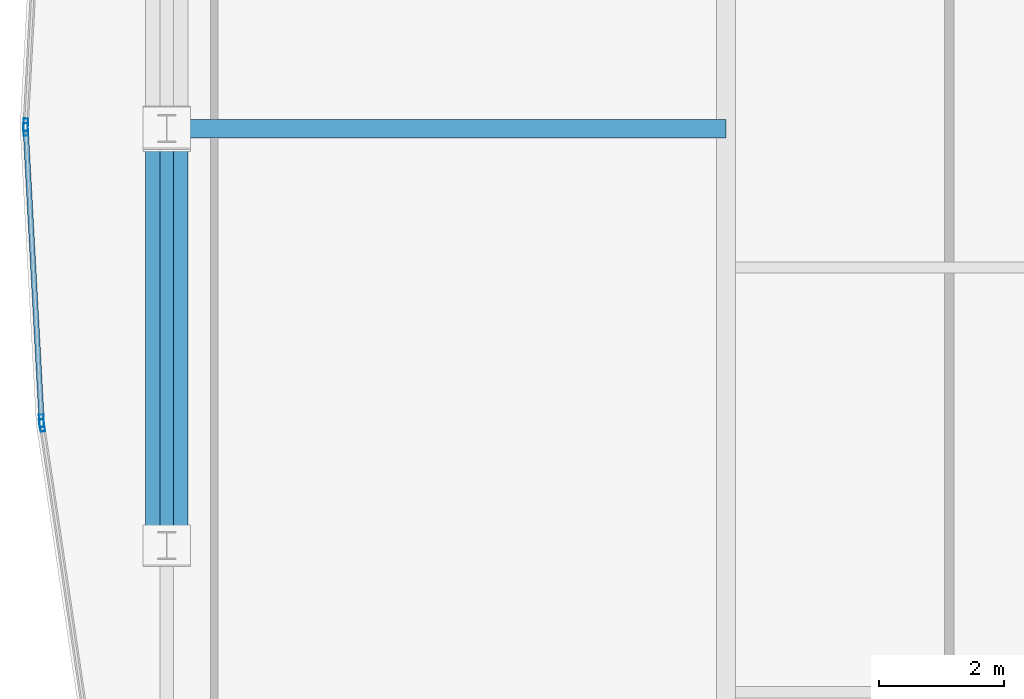
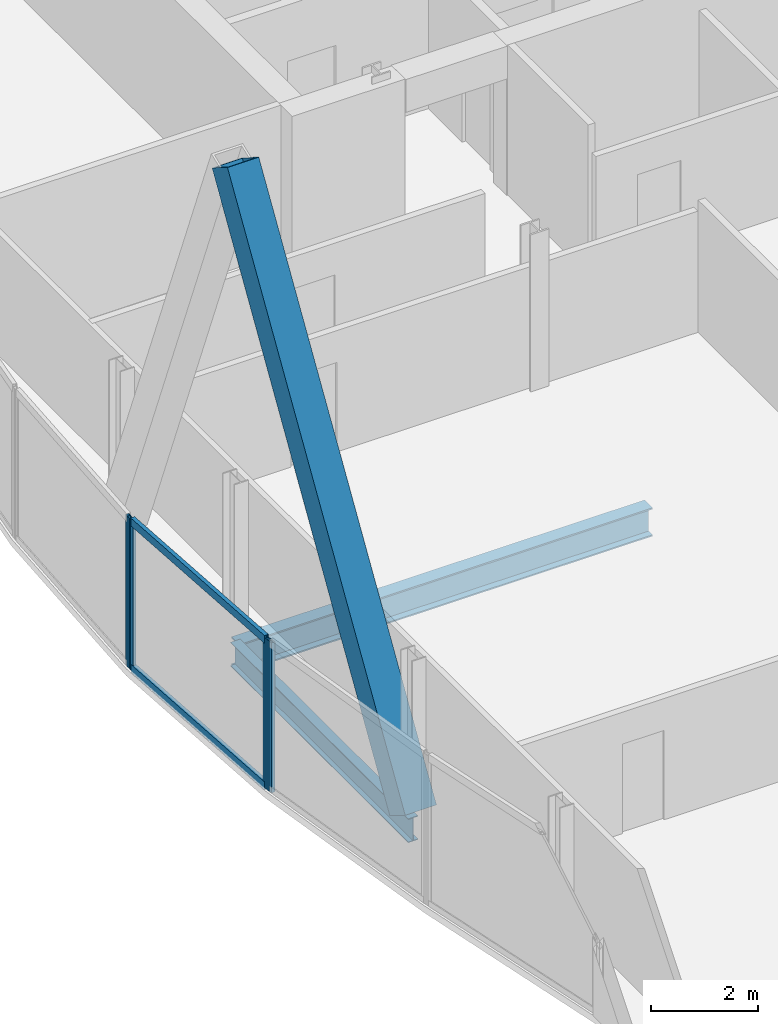
# One storey, part 10 of 31: 7 members, 2 beams, 3 elements without a shape of their own.
"""IFC4 building model written with IfcOpenShell, lengths in metres."""

import ifcopenshell
import ifcopenshell.guid

model = None  # the IFC model being written
_history = None  # IfcOwnerHistory: only IFC2X3 demands one
_inside = {}  # id of a spatial element -> (the spatial element, [elements in it])
_under = {}  # id of a project, library or spatial element -> (it, [spatial elements below it])
_declared = {}  # id of a project -> (the project, [libraries it declares])
_typed = {}  # id of a type object -> (the type object, [elements of that type])
_made_of = {}  # id of a material, layer set ... -> (it, [elements and type objects made of it])


def new_model(schema):
    """Start an empty IFC model of exactly this schema.

    Asked for "IFC4X3", IfcOpenShell would pick the latest addendum, in which some entities
    have other attributes; the version numbers below select the first issue.
    IFC2X3 requires an IfcOwnerHistory on every rooted entity: one is made here for all.
    """
    global model, _history
    if schema == "IFC4X3":
        model = ifcopenshell.file(schema_version=(4, 3, 0, 0))
    else:
        model = ifcopenshell.file(schema=schema)
    _inside.clear()
    _under.clear()
    _declared.clear()
    _typed.clear()
    _made_of.clear()
    _history = None
    if model.schema == "IFC2X3":
        org = make("IfcOrganization", Name="unknown")
        user = make(
            "IfcPersonAndOrganization",
            ThePerson=make("IfcPerson", FamilyName="unknown"),
            TheOrganization=org,
        )
        app = make(
            "IfcApplication",
            ApplicationDeveloper=org,
            Version="unknown",
            ApplicationFullName="unknown",
            ApplicationIdentifier="unknown",
        )
        _history = make(
            "IfcOwnerHistory",
            OwningUser=user,
            OwningApplication=app,
            ChangeAction="ADDED",
            CreationDate=0,
        )
    return model


def make(cls, **values):
    """One entity of the class cls with the attributes given. An attribute that is None is left unset."""
    return model.create_entity(
        cls, **{name: value for name, value in values.items() if value is not None}
    )


def rooted(cls, **values):
    """An entity with a GlobalId (a new one), such as an element, a storey or a relation."""
    return make(cls, GlobalId=ifcopenshell.guid.new(), OwnerHistory=_history, **values)


def si_unit(unit_type, name, prefix=None):
    """IfcSIUnit, for example si_unit("LENGTHUNIT", "METRE", prefix="MILLI")."""
    return make("IfcSIUnit", UnitType=unit_type, Prefix=prefix, Name=name)


def assignment(units):
    """IfcUnitAssignment: the units of a project."""
    return None if units is None else make("IfcUnitAssignment", Units=units)


def point(xyz):
    """IfcCartesianPoint."""
    return None if xyz is None else make("IfcCartesianPoint", Coordinates=xyz)


def direction(xyz):
    """IfcDirection."""
    return None if xyz is None else make("IfcDirection", DirectionRatios=xyz)


def frame(location, z_axis=None, x_axis=None):
    """IfcAxis2Placement3D, a coordinate frame: its origin and axes. An axis left out is left unset."""
    return make(
        "IfcAxis2Placement3D",
        Location=point(location),
        Axis=direction(z_axis),
        RefDirection=direction(x_axis),
    )


def frame_2d(location, x_axis=None):
    """IfcAxis2Placement2D, a coordinate frame in the plane: its origin and x axis."""
    return make(
        "IfcAxis2Placement2D", Location=point(location), RefDirection=direction(x_axis)
    )


def origin():
    """The frame at (0, 0, 0) with its axes left unset."""
    return frame((0.0, 0.0, 0.0))


def origin_2d():
    """The frame at (0, 0) in the plane with its x axis left unset."""
    return frame_2d((0.0, 0.0))


def place(relative_to, where):
    """IfcLocalPlacement: puts the frame where relative to a parent placement (None: the world)."""
    return make(
        "IfcLocalPlacement", PlacementRelTo=relative_to, RelativePlacement=where
    )


def context(
    kind, dimensions, precision=None, world=None, true_north=None, identifier=None
):
    """IfcGeometricRepresentationContext, for example the 3D "Model" context."""
    return make(
        "IfcGeometricRepresentationContext",
        ContextIdentifier=identifier,
        ContextType=kind,
        CoordinateSpaceDimension=dimensions,
        Precision=precision,
        WorldCoordinateSystem=world,
        TrueNorth=true_north,
    )


def subcontext(parent, identifier, kind, view, scale=None):
    """IfcGeometricRepresentationSubContext, for example "Body" below "Model"."""
    return make(
        "IfcGeometricRepresentationSubContext",
        ContextIdentifier=identifier,
        ContextType=kind,
        ParentContext=parent,
        TargetScale=scale,
        TargetView=view,
    )


def project(units=None, contexts=None):
    """IfcProject with its units and contexts."""
    return rooted(
        "IfcProject",
        Name="project",
        RepresentationContexts=contexts,
        UnitsInContext=assignment(units),
    )


def spatial(cls, under=None, at=None, **own):
    """A site, building, storey or space (cls), placed at a placement, below another one or the project."""
    s = rooted(cls, ObjectPlacement=at, **own)
    if under is not None:
        _under.setdefault(under.id(), (under, []))[1].append(s)
    return s


def profile(cls, at=None, kind="AREA", **sizes):
    """A parametric profile (cls). Its sizes go by their IFC names, for example OverallWidth=200.0."""
    return make(cls, ProfileType=kind, Position=at, **sizes)


def hollow_rectangle(**sizes):
    """IfcRectangleHollowProfileDef."""
    return profile("IfcRectangleHollowProfileDef", **sizes)


def i_section(**sizes):
    """IfcIShapeProfileDef."""
    return profile("IfcIShapeProfileDef", **sizes)


def extrude(swept, where, along, depth):
    """IfcExtrudedAreaSolid: the profile swept, set in the frame where, extruded along a direction by depth."""
    return make(
        "IfcExtrudedAreaSolid",
        SweptArea=swept,
        Position=where,
        ExtrudedDirection=direction(along),
        Depth=depth,
    )


def shape(context_of_items, identifier, shape_type, items):
    """IfcShapeRepresentation: the items that make up one representation, for example the "Body"."""
    return make(
        "IfcShapeRepresentation",
        ContextOfItems=context_of_items,
        RepresentationIdentifier=identifier,
        RepresentationType=shape_type,
        Items=items,
    )


def material(Name=None, Category=None):
    """IfcMaterial."""
    return make("IfcMaterial", Name=Name, Category=Category)


def material_profile(
    of_material, cross_section, Name=None, Category=None, Priority=None
):
    """IfcMaterialProfile: a cross section and its material."""
    return make(
        "IfcMaterialProfile",
        Name=Name,
        Material=of_material,
        Profile=cross_section,
        Priority=Priority,
        Category=Category,
    )


def profile_set(profiles, Name=None, composite=None):
    """IfcMaterialProfileSet."""
    return make(
        "IfcMaterialProfileSet",
        Name=Name,
        MaterialProfiles=profiles,
        CompositeProfile=composite,
    )


def made_of(thing, what):
    """Note that an element or type object is made of a material, layer set ...; save() writes the relation."""
    if what is not None:
        _made_of.setdefault(what.id(), (what, []))[1].append(thing)
    return thing


def type_object(cls, material=None, **own):
    """A type object (cls), such as IfcWallType, which elements share."""
    return made_of(rooted(cls, **own), material)


def element(
    cls,
    number,
    at=None,
    inside=None,
    cuts=None,
    type_object=None,
    material=None,
    context=None,
    identifier="Body",
    shape_type=None,
    held_by="IfcProductDefinitionShape",
    body=None,
    shapes=None,
    **own,
):
    """One element of the class cls, such as IfcWall. Its Tag is "e" and its number.

    at: its placement. inside: the storey or other place that contains it. cuts: it is an
    opening in that element (IfcRelVoidsElement). A single representation is given by context,
    identifier, shape_type and body (its items); several are given by shapes. held_by: the class
    of the entity that holds the representations. save() writes the other relations.
    """
    e = rooted(cls, Tag="e%d" % number, ObjectPlacement=at, **own)
    if body is not None:
        shapes = [shape(context, identifier, shape_type, body)]
    if shapes is not None:
        e.Representation = make(held_by, Representations=shapes)
    if inside is not None:
        _inside.setdefault(inside.id(), (inside, []))[1].append(e)
    if cuts is not None:
        rooted(
            "IfcRelVoidsElement", RelatingBuildingElement=cuts, RelatedOpeningElement=e
        )
    if type_object is not None:
        _typed.setdefault(type_object.id(), (type_object, []))[1].append(e)
    return made_of(e, material)


def aggregate(whole, parts):
    """IfcRelAggregates: a whole, such as a stair, and the parts it consists of."""
    return rooted("IfcRelAggregates", RelatingObject=whole, RelatedObjects=parts)


def save(model, path):
    """Write the relations noted so far, then the file.

    IfcRelAggregates (storeys below a building ...), IfcRelContainedInSpatialStructure (elements
    in a storey), IfcRelDefinesByType, IfcRelAssociatesMaterial and IfcRelDeclares: one each for
    every whole, place, type object, material and project.
    """
    for whole, parts in _under.values():
        aggregate(whole, parts)
    for where, things in _inside.values():
        rooted(
            "IfcRelContainedInSpatialStructure",
            RelatedElements=things,
            RelatingStructure=where,
        )
    for kind, things in _typed.values():
        rooted("IfcRelDefinesByType", RelatedObjects=things, RelatingType=kind)
    for what, things in _made_of.values():
        rooted("IfcRelAssociatesMaterial", RelatedObjects=things, RelatingMaterial=what)
    for by, libraries in _declared.values():
        rooted("IfcRelDeclares", RelatingContext=by, RelatedDefinitions=libraries)
    model.write(path)


model = new_model("IFC4")

# Units and contexts
model_context = context("Model", 3, precision=1e-05, world=origin(), true_north=direction((0.0, 1.0)))
body_context = subcontext(model_context, "Body", "Model", "MODEL_VIEW")
ifc_project = project(units=[si_unit("LENGTHUNIT", "METRE"), si_unit("AREAUNIT", "SQUARE_METRE"), si_unit("VOLUMEUNIT", "CUBIC_METRE"), si_unit("PLANEANGLEUNIT", "RADIAN"), si_unit("MASSUNIT", "GRAM", prefix="KILO")], contexts=[model_context])

# Site, building, storey
site_placement = place(None, origin())
site = spatial("IfcSite", under=ifc_project, at=site_placement, CompositionType="ELEMENT")
building_placement = place(site_placement, origin())
building = spatial("IfcBuilding", under=site, at=building_placement, Name="Khoronbel Lancet Exchange", CompositionType="ELEMENT")
storey_placement = place(building_placement, frame((0.0, 0.0, 273.39990234375)))
storey = spatial("IfcBuildingStorey", under=building, at=storey_placement, Name="L70", CompositionType="ELEMENT", Elevation=273.39990234375)

# Beams
ifc_material_1 = material(Name="Steel S355", Category="steel")
ifc_material_profile_1 = material_profile(ifc_material_1, i_section(OverallWidth=0.300048828125, OverallDepth=0.64990234375, WebThickness=0.01611328125, FlangeThickness=0.031005859375, at=origin_2d()), Name="HEB 650")
ifc_profile_set_1 = profile_set([ifc_material_profile_1], Name="Steel S355")
beam_type_1 = type_object("IfcBeamType", Name="BM-BG4", PredefinedType="BEAM", material=ifc_profile_set_1)
beam_1_placement = place(storey_placement, frame((9.27001953125, 31.425048828125, -0.48486328125), z_axis=(1.0, 0.0, 0.0), x_axis=(0.0, 1.0, 0.0)))
element("IfcBeam", 1, at=beam_1_placement, inside=storey, type_object=beam_type_1, Name="Level L70 west lens tie girder LG2W", PredefinedType="BEAM", context=body_context, shape_type="SweptSolid", body=[
    extrude(i_section(OverallWidth=0.300048828125, OverallDepth=0.64990234375, WebThickness=0.01611328125, FlangeThickness=0.031005859375, at=origin_2d()), origin(), (0.0, 0.0, 1.0), 8.955078125),
])
ifc_material_profile_2 = material_profile(ifc_material_1, i_section(OverallWidth=0.2099609375, OverallDepth=0.550048828125, WebThickness=0.010986328125, FlangeThickness=0.01708984375, at=origin_2d()), Name="IPE 550")
ifc_profile_set_2 = profile_set([ifc_material_profile_2], Name="Steel S355")
beam_type_2 = type_object("IfcBeamType", Name="BM-BSP3", PredefinedType="SPANDREL", material=ifc_profile_set_2)
beam_2_placement = place(storey_placement, frame((9.27001953125, 31.425048828125, -0.434814453125), z_axis=(0.0, -1.0, 0.0), x_axis=(1.0, 0.0, 0.0)))
element("IfcBeam", 2, at=beam_2_placement, inside=storey, type_object=beam_type_2, Name="Level L70 perimeter spandrel beam SP19", PredefinedType="SPANDREL", context=body_context, shape_type="SweptSolid", body=[
    extrude(i_section(OverallWidth=0.2099609375, OverallDepth=0.550048828125, WebThickness=0.010986328125, FlangeThickness=0.01708984375, at=origin_2d()), origin(), (0.0, 0.0, 1.0), 6.675048828125),
])

# Curtain wall, member
ifc_material_2 = material(Name="Low-E Solar Control Insulating Glass", Category="glass")
curtain_wall_type = type_object("IfcCurtainWallType", Name="CW-4", PredefinedType="NOTDEFINED", material=ifc_material_2)
curtain_wall_1_placement = place(storey_placement, origin())
curtain_wall_1 = element("IfcCurtainWall", 3, at=curtain_wall_1_placement, inside=storey, type_object=curtain_wall_type, Name="Unitised curtain wall CW-L70-E05", PredefinedType="NOTDEFINED")
ifc_material_3 = material(Name="Bronze-Anodised Aluminium 6063-T6", Category="aluminium")
ifc_material_profile_3 = material_profile(ifc_material_3, hollow_rectangle(XDim=0.074951171875, YDim=0.199951171875, WallThickness=0.0048828125, at=origin_2d()), Name="ALU MULLION 75x200")
ifc_profile_set_3 = profile_set([ifc_material_profile_3], Name="Bronze-Anodised Aluminium 6063-T6")
member_type_1 = type_object("IfcMemberType", Name="MEM-CWM2", PredefinedType="MULLION", material=ifc_profile_set_3)
member_1_placement = place(storey_placement, frame((7.2734375, 26.672119140625, 0.0), z_axis=(0.0, 0.0, 1.0), x_axis=(-0.989113824461, -0.147152445645, 0.0)))
member_1 = element("IfcMember", 4, at=member_1_placement, type_object=member_type_1, Name="CW4 mullion 2", PredefinedType="MULLION", context=body_context, shape_type="SweptSolid", body=[
    extrude(hollow_rectangle(XDim=0.074951171875, YDim=0.199951171875, WallThickness=0.0048828125, at=origin_2d()), origin(), (0.0, 0.0, 1.0), 3.440185546875),
])
aggregate(curtain_wall_1, [member_1])

# Curtain wall, members
curtain_wall_2_placement = place(storey_placement, origin())
curtain_wall_2 = element("IfcCurtainWall", 5, at=curtain_wall_2_placement, inside=storey, type_object=curtain_wall_type, Name="Unitised curtain wall CW-L70-E06", PredefinedType="NOTDEFINED")
member_2_placement = place(storey_placement, frame((7.265869140625, 26.74658203125, 0.0), z_axis=(0.0, 0.0, 1.0), x_axis=(-0.998521367155, -0.05436064141, 0.0)))
member_2 = element("IfcMember", 6, at=member_2_placement, type_object=member_type_1, Name="CW4 mullion 1", PredefinedType="MULLION", context=body_context, shape_type="SweptSolid", body=[
    extrude(hollow_rectangle(XDim=0.074951171875, YDim=0.199951171875, WallThickness=0.0048828125, at=origin_2d()), origin(), (0.0, 0.0, 1.0), 3.440185546875),
])
member_3_placement = place(storey_placement, frame((7.01171875, 31.41259765625, 0.0), z_axis=(0.0, 0.0, 1.0), x_axis=(-0.998521367155, -0.05436064141, 0.0)))
member_3 = element("IfcMember", 7, at=member_3_placement, type_object=member_type_1, Name="CW4 mullion 2", PredefinedType="MULLION", context=body_context, shape_type="SweptSolid", body=[
    extrude(hollow_rectangle(XDim=0.074951171875, YDim=0.199951171875, WallThickness=0.0048828125, at=origin_2d()), origin(), (0.0, 0.0, 1.0), 3.440185546875),
])

# Curtain wall, member
curtain_wall_3_placement = place(storey_placement, origin())
curtain_wall_3 = element("IfcCurtainWall", 8, at=curtain_wall_3_placement, inside=storey, type_object=curtain_wall_type, Name="Unitised curtain wall CW-L70-E07", PredefinedType="NOTDEFINED")
member_4_placement = place(storey_placement, frame((7.01171875, 31.487548828125, 0.0), z_axis=(0.0, 0.0, 1.0), x_axis=(-0.998521367155, 0.05436064141, 0.0)))
member_4 = element("IfcMember", 9, at=member_4_placement, type_object=member_type_1, Name="CW4 mullion 1", PredefinedType="MULLION", context=body_context, shape_type="SweptSolid", body=[
    extrude(hollow_rectangle(XDim=0.074951171875, YDim=0.199951171875, WallThickness=0.0048828125, at=origin_2d()), origin(), (0.0, 0.0, 1.0), 3.440185546875),
])
aggregate(curtain_wall_3, [member_4])

# Member
ifc_material_profile_4 = material_profile(ifc_material_3, hollow_rectangle(XDim=0.0849609375, YDim=0.179931640625, WallThickness=0.0048828125, at=origin_2d()), Name="ALU TRANSOM 85x180")
ifc_profile_set_4 = profile_set([ifc_material_profile_4], Name="Bronze-Anodised Aluminium 6063-T6")
member_type_2 = type_object("IfcMemberType", Name="MEM-CWT1", PredefinedType="USERDEFINED", material=ifc_profile_set_4)
member_5_placement = place(storey_placement, frame((7.263671875, 26.783935546875, 0.04248046875), z_axis=(-0.054373049093, 0.998520691589, 0.0), x_axis=(-0.998520691589, -0.054373049093, 0.0)))
member_5 = element("IfcMember", 10, at=member_5_placement, type_object=member_type_2, Name="CW4 transom 1.1", ObjectType="TRANSOM", PredefinedType="USERDEFINED", context=body_context, shape_type="SweptSolid", body=[
    extrude(hollow_rectangle(XDim=0.0849609375, YDim=0.179931640625, WallThickness=0.0048828125, at=origin_2d()), origin(), (0.0, 0.0, 1.0), 4.597900390625),
])

member_6_placement = place(storey_placement, frame((7.263671875, 26.783935546875, 3.397705078125), z_axis=(-0.054373049093, 0.998520691589, 0.0), x_axis=(-0.998520691589, -0.054373049093, 0.0)))
member_6 = element("IfcMember", 11, at=member_6_placement, type_object=member_type_2, Name="CW4 transom 1.2", ObjectType="TRANSOM", PredefinedType="USERDEFINED", context=body_context, shape_type="SweptSolid", body=[
    extrude(hollow_rectangle(XDim=0.0849609375, YDim=0.179931640625, WallThickness=0.0048828125, at=origin_2d()), origin(), (0.0, 0.0, 1.0), 4.597900390625),
])

aggregate(curtain_wall_2, [member_2, member_3, member_5, member_6])

ifc_material_4 = material(Name="Steel S460", Category="steel")
ifc_material_profile_5 = material_profile(ifc_material_4, hollow_rectangle(XDim=0.679931640625, YDim=0.679931640625, WallThickness=0.044921875, at=origin_2d()), Name="BOX 680x680x45")
ifc_profile_set_5 = profile_set([ifc_material_profile_5], Name="Steel S460")
member_type_3 = type_object("IfcMemberType", Name="MEM-MB3", PredefinedType="BRACE", material=ifc_profile_set_5)
member_7_placement = place(storey_placement, frame((9.27001953125, 24.75, 0.0), z_axis=(0.0, 0.525745449971, 0.850641946906), x_axis=(-1.0, 0.0, 0.0)))
element("IfcMember", 12, at=member_7_placement, inside=storey, type_object=member_type_3, Name="Perimeter lancet brace tier 24 W-P-L", PredefinedType="BRACE", context=body_context, shape_type="SweptSolid", body=[
    extrude(hollow_rectangle(XDim=0.679931640625, YDim=0.679931640625, WallThickness=0.044921875, at=origin_2d()), origin(), (0.0, 0.0, 1.0), 12.6962890625),
])

save(model, "model.ifc")
